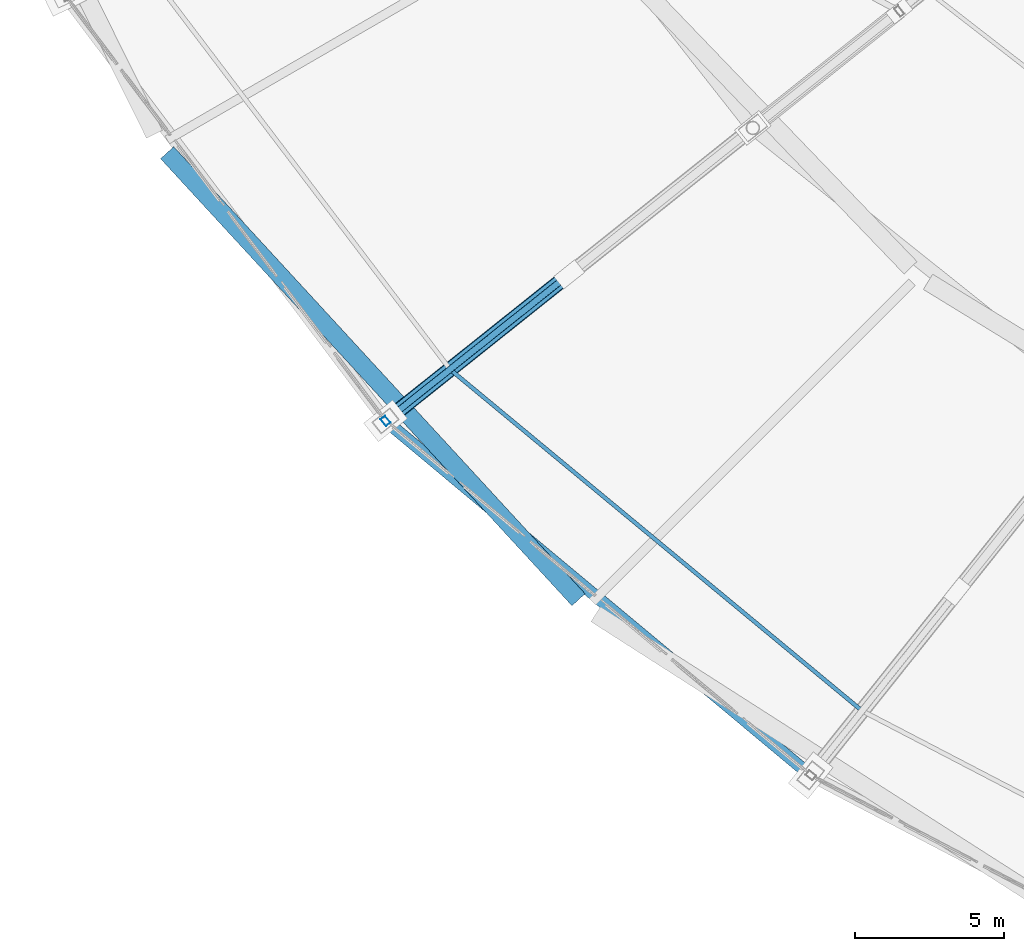
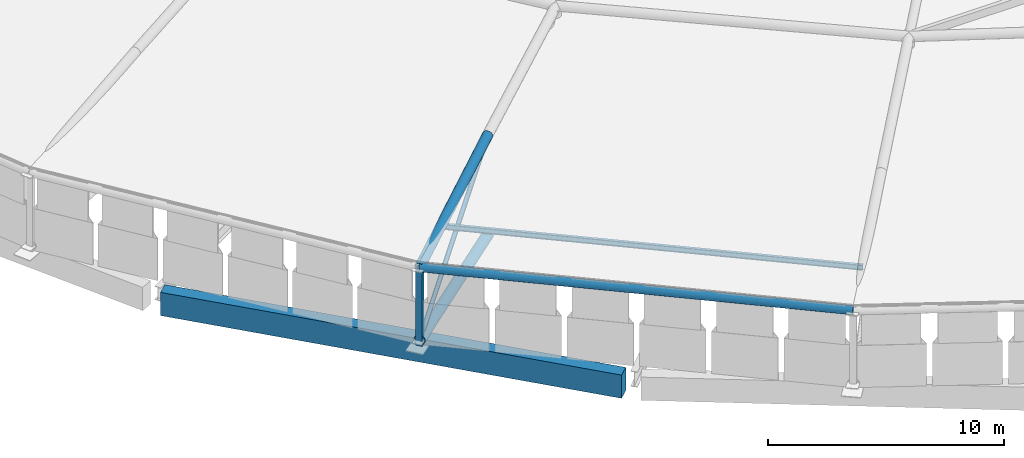
# One storey, part 1 of 108: 6 members, 1 beam.
"""IFC4 building model written with IfcOpenShell, lengths in metres."""

from ifc_helpers import new_model, si_unit, direction, frame, origin, origin_2d, place, context, subcontext, project, spatial, rectangle, hollow_rectangle, hollow_circle, i_section, extrude, material, material_profile, profile_set, type_object, element, save


model = new_model("IFC4")

# Units and contexts
model_context = context("Model", 3, precision=1e-05, world=origin(), true_north=direction((0.0, 1.0)))
body_context = subcontext(model_context, "Body", "Model", "MODEL_VIEW")
ifc_project = project(units=[si_unit("LENGTHUNIT", "METRE"), si_unit("AREAUNIT", "SQUARE_METRE"), si_unit("VOLUMEUNIT", "CUBIC_METRE"), si_unit("PLANEANGLEUNIT", "RADIAN"), si_unit("MASSUNIT", "GRAM", prefix="KILO")], contexts=[model_context])

# Site, building, storey
site_placement = place(None, origin())
site = spatial("IfcSite", under=ifc_project, at=site_placement, CompositionType="ELEMENT")
building_placement = place(site_placement, origin())
building = spatial("IfcBuilding", under=site, at=building_placement, Name="Zevraka Park Crest Stadium", CompositionType="ELEMENT")
storey_placement = place(building_placement, frame((0.0, 0.0, 29.39990234375)))
storey = spatial("IfcBuildingStorey", under=building, at=storey_placement, Name="RF", CompositionType="ELEMENT", Elevation=29.39990234375)

# Member
ifc_material_1 = material(Name="Steel S355", Category="steel")
ifc_material_profile_1 = material_profile(ifc_material_1, i_section(OverallWidth=0.135009765625, OverallDepth=0.27001953125, WebThickness=0.006591796875, FlangeThickness=0.01025390625, at=origin_2d()), Name="IPE 270")
ifc_profile_set_1 = profile_set([ifc_material_profile_1], Name="Steel S355")
member_type_1 = type_object("IfcMemberType", Name="PR04", PredefinedType="PURLIN", material=ifc_profile_set_1)
member_1_placement = place(storey_placement, frame((43.571044921875, 46.781982421875, 4.302001953125), z_axis=(0.769999473898, -0.638044520544, 0.0), x_axis=(0.638044520544, 0.769999473898, 0.0)))
element("IfcMember", 1, at=member_1_placement, inside=storey, type_object=member_type_1, Name="Canopy Roof Purlin PR04 OUTER-18-1", PredefinedType="PURLIN", context=body_context, shape_type="SweptSolid", body=[
    extrude(i_section(OverallWidth=0.135009765625, OverallDepth=0.27001953125, WebThickness=0.006591796875, FlangeThickness=0.01025390625, at=origin_2d()), origin(), (0.0, 0.0, 1.0), 17.99853515625),
])

# Beam
ifc_material_2 = material(Name="Concrete C40/50", Category="concrete")
ifc_material_profile_2 = material_profile(ifc_material_2, rectangle(XDim=0.60009765625, YDim=1.199951171875, at=origin_2d()), Name="RC 1200x600")
ifc_profile_set_2 = profile_set([ifc_material_profile_2], Name="Concrete C40/50")
beam_type = type_object("IfcBeamType", Name="RB01", PredefinedType="BEAM", material=ifc_profile_set_2)
beam_placement = place(storey_placement, frame((34.054931640625, 54.070068359375, -0.599853515625), z_axis=(0.677158252403, -0.735837414924, 0.0), x_axis=(0.735837414924, 0.677158252403, 0.0)))
element("IfcBeam", 2, at=beam_placement, inside=storey, type_object=beam_type, Name="Ring Beam RB01 RF-D-14", PredefinedType="BEAM", context=body_context, shape_type="SweptSolid", body=[
    extrude(rectangle(XDim=0.60009765625, YDim=1.199951171875, at=origin_2d()), origin(), (0.0, 0.0, 1.0), 20.4326171875),
])

# Members
ifc_material_3 = material(Name="Steel S355", Category="steel")
ifc_material_profile_3 = material_profile(ifc_material_3, hollow_circle(Radius=0.25390625, WallThickness=0.030029296875, at=origin_2d()), Name="CHS 508.0x30")
ifc_profile_set_3 = profile_set([ifc_material_profile_3], Name="Steel S355")
member_type_2 = type_object("IfcMemberType", Name="TC01", PredefinedType="CHORD", material=ifc_profile_set_3)
member_2_placement = place(storey_placement, frame((41.40087890625, 45.051025390625, 0.25), z_axis=(0.781218252924, 0.623103162005, 0.037953798191), x_axis=(-0.623552434629, 0.781781530396, 0.0)))
element("IfcMember", 3, at=member_2_placement, inside=storey, type_object=member_type_2, Name="Roof Truss Bottom Chord TC01 T18-1", PredefinedType="CHORD", context=body_context, shape_type="SweptSolid", body=[
    extrude(hollow_circle(Radius=0.25390625, WallThickness=0.030029296875, at=origin_2d()), origin(), (0.0, 0.0, 1.0), 7.905517578125),
])
ifc_material_4 = material(Name="Steel S355", Category="steel")
ifc_material_profile_4 = material_profile(ifc_material_4, hollow_circle(Radius=0.228515625, WallThickness=0.02490234375, at=origin_2d()), Name="CHS 457.0x25")
ifc_profile_set_4 = profile_set([ifc_material_profile_4], Name="Steel S355")
member_type_3 = type_object("IfcMemberType", Name="TC02", PredefinedType="CHORD", material=ifc_profile_set_4)
member_3_placement = place(storey_placement, frame((41.40087890625, 45.051025390625, 4.0), z_axis=(0.764281850897, 0.609594612229, 0.21039881447), x_axis=(-0.623552434629, 0.781781530396, 0.0)))
element("IfcMember", 4, at=member_3_placement, inside=storey, type_object=member_type_3, Name="Roof Truss Top Chord TC02 T18-1", PredefinedType="CHORD", context=body_context, shape_type="SweptSolid", body=[
    extrude(hollow_circle(Radius=0.228515625, WallThickness=0.02490234375, at=origin_2d()), origin(), (0.0, 0.0, 1.0), 8.080810546875),
])
ifc_material_5 = material(Name="Steel S355", Category="steel")
ifc_material_profile_5 = material_profile(ifc_material_5, hollow_circle(Radius=0.203125, WallThickness=0.02001953125, at=origin_2d()), Name="CHS 406.4x20")
ifc_profile_set_5 = profile_set([ifc_material_profile_5], Name="Steel S355")
member_type_4 = type_object("IfcMemberType", Name="TC03", PredefinedType="CHORD", material=ifc_profile_set_5)
member_4_placement = place(storey_placement, frame((41.40087890625, 45.051025390625, 4.0), z_axis=(0.768009482008, -0.640438471319, 0.0), x_axis=(0.640438471319, 0.768009482008, 0.0)))
element("IfcMember", 5, at=member_4_placement, inside=storey, type_object=member_type_4, Name="Roof Outer Canopy Ring Chord TC03 18", PredefinedType="CHORD", context=body_context, shape_type="SweptSolid", body=[
    extrude(hollow_circle(Radius=0.203125, WallThickness=0.02001953125, at=origin_2d()), origin(), (0.0, 0.0, 1.0), 18.6171875),
])
ifc_material_6 = material(Name="Steel S355", Category="steel")
ifc_material_profile_6 = material_profile(ifc_material_6, hollow_circle(Radius=0.109619140625, WallThickness=0.010009765625, at=origin_2d()), Name="CHS 219.1x10")
ifc_profile_set_6 = profile_set([ifc_material_profile_6], Name="Steel S355")
member_type_5 = type_object("IfcMemberType", Name="WB02", PredefinedType="BRACE", material=ifc_profile_set_6)
member_5_placement = place(storey_placement, frame((41.40087890625, 45.051025390625, 0.25), z_axis=(0.643497834064, 0.513256741824, 0.56787151234), x_axis=(-0.623552434629, 0.781781530396, 0.0)))
element("IfcMember", 6, at=member_5_placement, inside=storey, type_object=member_type_5, Name="Roof Truss Web Diagonal WB02 T18-1", PredefinedType="BRACE", context=body_context, shape_type="SweptSolid", body=[
    extrude(hollow_circle(Radius=0.109619140625, WallThickness=0.010009765625, at=origin_2d()), origin(), (0.0, 0.0, 1.0), 9.59765625),
])
ifc_material_7 = material(Name="Steel S355", Category="steel")
ifc_material_profile_7 = material_profile(ifc_material_7, hollow_rectangle(XDim=0.199951171875, YDim=0.300048828125, WallThickness=0.012451171875, at=origin_2d()), Name="RHS 300x200x12.5")
ifc_profile_set_7 = profile_set([ifc_material_profile_7], Name="Steel S355")
member_type_6 = type_object("IfcMemberType", Name="WB03", PredefinedType="BRACE", material=ifc_profile_set_7)
member_6_placement = place(storey_placement, frame((41.40087890625, 45.051025390625, 0.0), z_axis=(0.0, 0.0, 1.0), x_axis=(0.781847027868, 0.623470308046, 0.0)))
element("IfcMember", 7, at=member_6_placement, inside=storey, type_object=member_type_6, Name="Roof Truss Anchor Strut WB03 T18-0", PredefinedType="BRACE", context=body_context, shape_type="SweptSolid", body=[
    extrude(hollow_rectangle(XDim=0.199951171875, YDim=0.300048828125, WallThickness=0.012451171875, at=origin_2d()), origin(), (0.0, 0.0, 1.0), 4.0),
])

save(model, "model.ifc")
